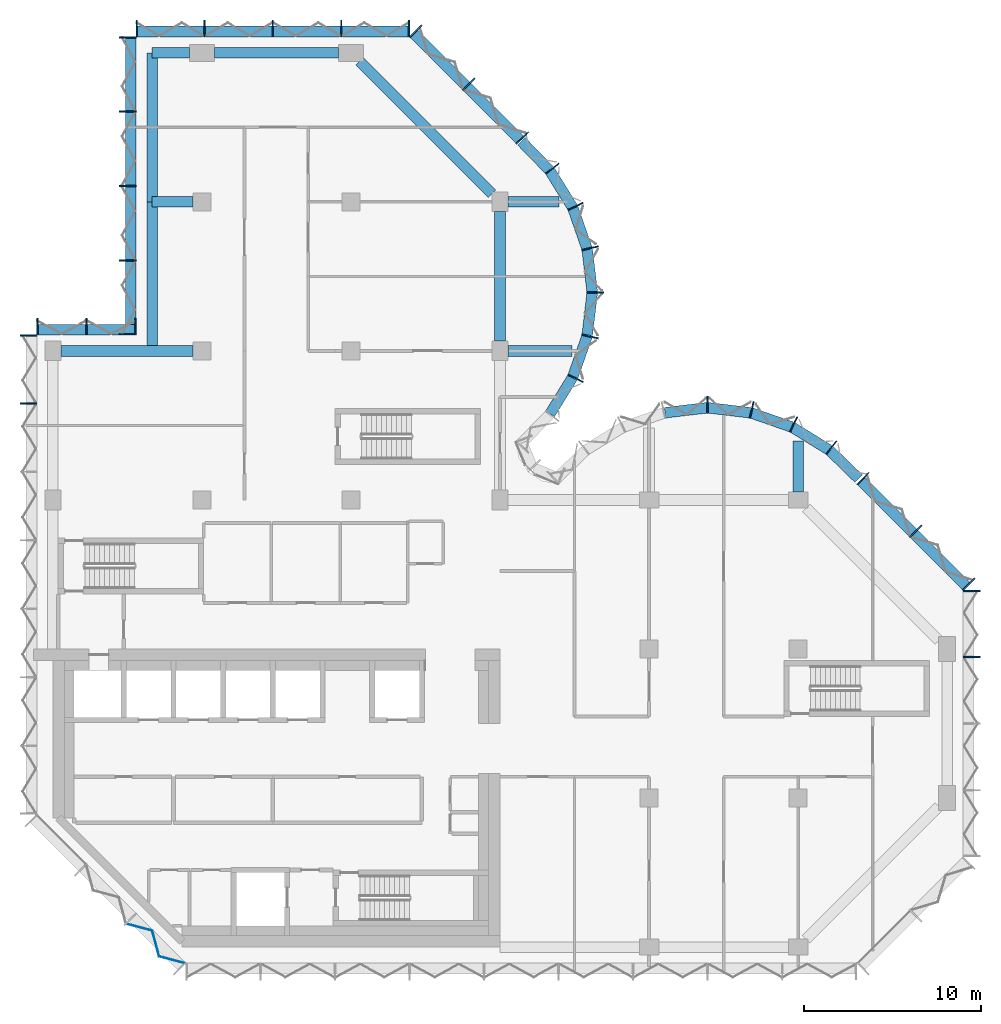
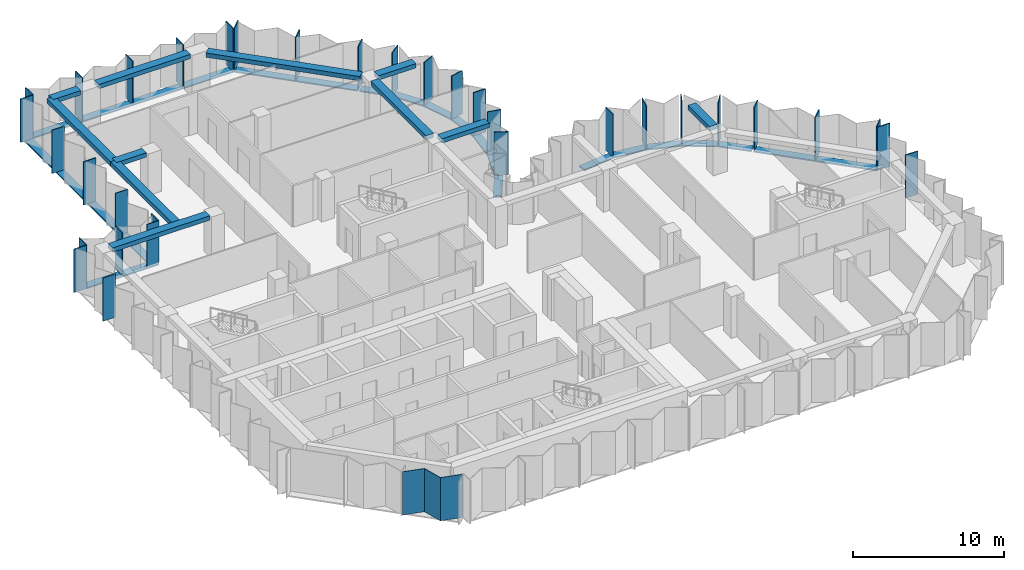
# One storey, part 2 of 10: 50 members, 11 beams, 1 plate, 10 elements without a shape of their own.
"""IFC4 building model written with IfcOpenShell, lengths in metres."""

import ifcopenshell
import ifcopenshell.guid

model = None  # the IFC model being written
_history = None  # IfcOwnerHistory: only IFC2X3 demands one
_inside = {}  # id of a spatial element -> (the spatial element, [elements in it])
_under = {}  # id of a project, library or spatial element -> (it, [spatial elements below it])
_declared = {}  # id of a project -> (the project, [libraries it declares])
_typed = {}  # id of a type object -> (the type object, [elements of that type])
_made_of = {}  # id of a material, layer set ... -> (it, [elements and type objects made of it])


def new_model(schema):
    """Start an empty IFC model of exactly this schema.

    Asked for "IFC4X3", IfcOpenShell would pick the latest addendum, in which some entities
    have other attributes; the version numbers below select the first issue.
    IFC2X3 requires an IfcOwnerHistory on every rooted entity: one is made here for all.
    """
    global model, _history
    if schema == "IFC4X3":
        model = ifcopenshell.file(schema_version=(4, 3, 0, 0))
    else:
        model = ifcopenshell.file(schema=schema)
    _inside.clear()
    _under.clear()
    _declared.clear()
    _typed.clear()
    _made_of.clear()
    _history = None
    if model.schema == "IFC2X3":
        org = make("IfcOrganization", Name="unknown")
        user = make(
            "IfcPersonAndOrganization",
            ThePerson=make("IfcPerson", FamilyName="unknown"),
            TheOrganization=org,
        )
        app = make(
            "IfcApplication",
            ApplicationDeveloper=org,
            Version="unknown",
            ApplicationFullName="unknown",
            ApplicationIdentifier="unknown",
        )
        _history = make(
            "IfcOwnerHistory",
            OwningUser=user,
            OwningApplication=app,
            ChangeAction="ADDED",
            CreationDate=0,
        )
    return model


def make(cls, **values):
    """One entity of the class cls with the attributes given. An attribute that is None is left unset."""
    return model.create_entity(
        cls, **{name: value for name, value in values.items() if value is not None}
    )


def rooted(cls, **values):
    """An entity with a GlobalId (a new one), such as an element, a storey or a relation."""
    return make(cls, GlobalId=ifcopenshell.guid.new(), OwnerHistory=_history, **values)


def si_unit(unit_type, name, prefix=None):
    """IfcSIUnit, for example si_unit("LENGTHUNIT", "METRE", prefix="MILLI")."""
    return make("IfcSIUnit", UnitType=unit_type, Prefix=prefix, Name=name)


def assignment(units):
    """IfcUnitAssignment: the units of a project."""
    return None if units is None else make("IfcUnitAssignment", Units=units)


def point(xyz):
    """IfcCartesianPoint."""
    return None if xyz is None else make("IfcCartesianPoint", Coordinates=xyz)


def direction(xyz):
    """IfcDirection."""
    return None if xyz is None else make("IfcDirection", DirectionRatios=xyz)


def frame(location, z_axis=None, x_axis=None):
    """IfcAxis2Placement3D, a coordinate frame: its origin and axes. An axis left out is left unset."""
    return make(
        "IfcAxis2Placement3D",
        Location=point(location),
        Axis=direction(z_axis),
        RefDirection=direction(x_axis),
    )


def frame_2d(location, x_axis=None):
    """IfcAxis2Placement2D, a coordinate frame in the plane: its origin and x axis."""
    return make(
        "IfcAxis2Placement2D", Location=point(location), RefDirection=direction(x_axis)
    )


def origin():
    """The frame at (0, 0, 0) with its axes left unset."""
    return frame((0.0, 0.0, 0.0))


def origin_2d():
    """The frame at (0, 0) in the plane with its x axis left unset."""
    return frame_2d((0.0, 0.0))


def place(relative_to, where):
    """IfcLocalPlacement: puts the frame where relative to a parent placement (None: the world)."""
    return make(
        "IfcLocalPlacement", PlacementRelTo=relative_to, RelativePlacement=where
    )


def context(
    kind, dimensions, precision=None, world=None, true_north=None, identifier=None
):
    """IfcGeometricRepresentationContext, for example the 3D "Model" context."""
    return make(
        "IfcGeometricRepresentationContext",
        ContextIdentifier=identifier,
        ContextType=kind,
        CoordinateSpaceDimension=dimensions,
        Precision=precision,
        WorldCoordinateSystem=world,
        TrueNorth=true_north,
    )


def subcontext(parent, identifier, kind, view, scale=None):
    """IfcGeometricRepresentationSubContext, for example "Body" below "Model"."""
    return make(
        "IfcGeometricRepresentationSubContext",
        ContextIdentifier=identifier,
        ContextType=kind,
        ParentContext=parent,
        TargetScale=scale,
        TargetView=view,
    )


def project(units=None, contexts=None):
    """IfcProject with its units and contexts."""
    return rooted(
        "IfcProject",
        Name="project",
        RepresentationContexts=contexts,
        UnitsInContext=assignment(units),
    )


def spatial(cls, under=None, at=None, **own):
    """A site, building, storey or space (cls), placed at a placement, below another one or the project."""
    s = rooted(cls, ObjectPlacement=at, **own)
    if under is not None:
        _under.setdefault(under.id(), (under, []))[1].append(s)
    return s


def polyline(points):
    """IfcPolyline through the points."""
    return make("IfcPolyline", Points=[point(p) for p in points])


def profile(cls, at=None, kind="AREA", **sizes):
    """A parametric profile (cls). Its sizes go by their IFC names, for example OverallWidth=200.0."""
    return make(cls, ProfileType=kind, Position=at, **sizes)


def rectangle(**sizes):
    """IfcRectangleProfileDef."""
    return profile("IfcRectangleProfileDef", **sizes)


def outline(outer, holes=None, kind="AREA"):
    """IfcArbitraryClosedProfileDef: a profile drawn as a closed curve; with holes, ...WithVoids."""
    if holes is None:
        return make("IfcArbitraryClosedProfileDef", ProfileType=kind, OuterCurve=outer)
    return make(
        "IfcArbitraryProfileDefWithVoids",
        ProfileType=kind,
        OuterCurve=outer,
        InnerCurves=holes,
    )


def extrude(swept, where, along, depth):
    """IfcExtrudedAreaSolid: the profile swept, set in the frame where, extruded along a direction by depth."""
    return make(
        "IfcExtrudedAreaSolid",
        SweptArea=swept,
        Position=where,
        ExtrudedDirection=direction(along),
        Depth=depth,
    )


def shape(context_of_items, identifier, shape_type, items):
    """IfcShapeRepresentation: the items that make up one representation, for example the "Body"."""
    return make(
        "IfcShapeRepresentation",
        ContextOfItems=context_of_items,
        RepresentationIdentifier=identifier,
        RepresentationType=shape_type,
        Items=items,
    )


def material(Name=None, Category=None):
    """IfcMaterial."""
    return make("IfcMaterial", Name=Name, Category=Category)


def layer(
    of_material, thickness, ventilated=None, Name=None, Category=None, Priority=None
):
    """IfcMaterialLayer: one layer of a wall or slab, of a material (None: an air gap)."""
    return make(
        "IfcMaterialLayer",
        Material=of_material,
        LayerThickness=thickness,
        IsVentilated=ventilated,
        Name=Name,
        Category=Category,
        Priority=Priority,
    )


def layer_set(layers, Name=None):
    """IfcMaterialLayerSet."""
    return make("IfcMaterialLayerSet", MaterialLayers=layers, LayerSetName=Name)


def material_profile(
    of_material, cross_section, Name=None, Category=None, Priority=None
):
    """IfcMaterialProfile: a cross section and its material."""
    return make(
        "IfcMaterialProfile",
        Name=Name,
        Material=of_material,
        Profile=cross_section,
        Priority=Priority,
        Category=Category,
    )


def profile_set(profiles, Name=None, composite=None):
    """IfcMaterialProfileSet."""
    return make(
        "IfcMaterialProfileSet",
        Name=Name,
        MaterialProfiles=profiles,
        CompositeProfile=composite,
    )


def made_of(thing, what):
    """Note that an element or type object is made of a material, layer set ...; save() writes the relation."""
    if what is not None:
        _made_of.setdefault(what.id(), (what, []))[1].append(thing)
    return thing


def type_object(cls, material=None, **own):
    """A type object (cls), such as IfcWallType, which elements share."""
    return made_of(rooted(cls, **own), material)


def element(
    cls,
    number,
    at=None,
    inside=None,
    cuts=None,
    type_object=None,
    material=None,
    context=None,
    identifier="Body",
    shape_type=None,
    held_by="IfcProductDefinitionShape",
    body=None,
    shapes=None,
    **own,
):
    """One element of the class cls, such as IfcWall. Its Tag is "e" and its number.

    at: its placement. inside: the storey or other place that contains it. cuts: it is an
    opening in that element (IfcRelVoidsElement). A single representation is given by context,
    identifier, shape_type and body (its items); several are given by shapes. held_by: the class
    of the entity that holds the representations. save() writes the other relations.
    """
    e = rooted(cls, Tag="e%d" % number, ObjectPlacement=at, **own)
    if body is not None:
        shapes = [shape(context, identifier, shape_type, body)]
    if shapes is not None:
        e.Representation = make(held_by, Representations=shapes)
    if inside is not None:
        _inside.setdefault(inside.id(), (inside, []))[1].append(e)
    if cuts is not None:
        rooted(
            "IfcRelVoidsElement", RelatingBuildingElement=cuts, RelatedOpeningElement=e
        )
    if type_object is not None:
        _typed.setdefault(type_object.id(), (type_object, []))[1].append(e)
    return made_of(e, material)


def aggregate(whole, parts):
    """IfcRelAggregates: a whole, such as a stair, and the parts it consists of."""
    return rooted("IfcRelAggregates", RelatingObject=whole, RelatedObjects=parts)


def save(model, path):
    """Write the relations noted so far, then the file.

    IfcRelAggregates (storeys below a building ...), IfcRelContainedInSpatialStructure (elements
    in a storey), IfcRelDefinesByType, IfcRelAssociatesMaterial and IfcRelDeclares: one each for
    every whole, place, type object, material and project.
    """
    for whole, parts in _under.values():
        aggregate(whole, parts)
    for where, things in _inside.values():
        rooted(
            "IfcRelContainedInSpatialStructure",
            RelatedElements=things,
            RelatingStructure=where,
        )
    for kind, things in _typed.values():
        rooted("IfcRelDefinesByType", RelatedObjects=things, RelatingType=kind)
    for what, things in _made_of.values():
        rooted("IfcRelAssociatesMaterial", RelatedObjects=things, RelatingMaterial=what)
    for by, libraries in _declared.values():
        rooted("IfcRelDeclares", RelatingContext=by, RelatedDefinitions=libraries)
    model.write(path)


model = new_model("IFC4")

# Units and contexts
model_context = context("Model", 3, precision=1e-05, world=origin(), true_north=direction((0.0, 1.0)))
body_context = subcontext(model_context, "Body", "Model", "MODEL_VIEW")
ifc_project = project(units=[si_unit("LENGTHUNIT", "METRE"), si_unit("AREAUNIT", "SQUARE_METRE"), si_unit("VOLUMEUNIT", "CUBIC_METRE"), si_unit("PLANEANGLEUNIT", "RADIAN"), si_unit("MASSUNIT", "GRAM", prefix="KILO")], contexts=[model_context])

# Site, building, storey
site_placement = place(None, origin())
site = spatial("IfcSite", under=ifc_project, at=site_placement, CompositionType="ELEMENT")
building_placement = place(site_placement, origin())
building = spatial("IfcBuilding", under=site, at=building_placement, Name="Brevane Broadcast Tower", CompositionType="ELEMENT")
storey_placement = place(building_placement, frame((0.0, 0.0, 199.199951171875)))
storey = spatial("IfcBuildingStorey", under=building, at=storey_placement, Name="L50", CompositionType="ELEMENT", Elevation=199.199951171875)

# Curtain wall, members
ifc_material_1 = material(Name="Aluminium 6063-T6 bronze anodised", Category="aluminium")
curtain_wall_type = type_object("IfcCurtainWallType", Name="CW-1 curtain wall", PredefinedType="NOTDEFINED", material=ifc_material_1)
curtain_wall_1_placement = place(storey_placement, origin())
curtain_wall_1 = element("IfcCurtainWall", 1, at=curtain_wall_1_placement, inside=storey, type_object=curtain_wall_type, Name="CW-1 typical tilted unit L50 east end", PredefinedType="NOTDEFINED")
ifc_material_profile_1 = material_profile(ifc_material_1, rectangle(XDim=0.949951171875, YDim=0.070068359375, at=origin_2d()), Name="RECT 70x950")
ifc_profile_set_1 = profile_set([ifc_material_profile_1], Name="Aluminium 6063-T6 bronze anodised")
member_type_1 = type_object("IfcMemberType", Name="CW-1 mullion 70x950", PredefinedType="MULLION", material=ifc_profile_set_1)
member_1_placement = place(storey_placement, frame((51.77490234375, 16.35009765625, -0.14990234375), z_axis=(0.0, 0.0, 1.0), x_axis=(-1.0, 0.0, 0.0)))
member_1 = element("IfcMember", 2, at=member_1_placement, type_object=member_type_1, Name="CW-1 mullion", PredefinedType="MULLION", context=body_context, shape_type="SweptSolid", body=[
    extrude(rectangle(XDim=0.949951171875, YDim=0.070068359375, at=origin_2d()), origin(), (0.0, 0.0, 1.0), 3.5),
])
member_2_placement = place(storey_placement, frame((51.77490234375, 20.06494140625, -0.14990234375), z_axis=(0.0, 0.0, 1.0), x_axis=(-1.0, 0.0, 0.0)))
member_2 = element("IfcMember", 3, at=member_2_placement, type_object=member_type_1, Name="CW-1 mullion", PredefinedType="MULLION", context=body_context, shape_type="SweptSolid", body=[
    extrude(rectangle(XDim=0.949951171875, YDim=0.070068359375, at=origin_2d()), origin(), (0.0, 0.0, 1.0), 3.5),
])
aggregate(curtain_wall_1, [member_1, member_2])

curtain_wall_2_placement = place(storey_placement, origin())
curtain_wall_2 = element("IfcCurtainWall", 4, at=curtain_wall_2_placement, inside=storey, type_object=curtain_wall_type, Name="CW-1 typical tilted unit L50 north-east chamfer", PredefinedType="NOTDEFINED")
member_3_placement = place(storey_placement, frame((51.611083984375, 20.460693359375, -0.14990234375), z_axis=(0.0, 0.0, 1.0), x_axis=(-0.707106781187, -0.707106781187, 0.0)))
member_3 = element("IfcMember", 5, at=member_3_placement, type_object=member_type_1, Name="CW-1 mullion", PredefinedType="MULLION", context=body_context, shape_type="SweptSolid", body=[
    extrude(rectangle(XDim=0.949951171875, YDim=0.070068359375, at=origin_2d()), origin(), (0.0, 0.0, 1.0), 3.5),
])
member_4_placement = place(storey_placement, frame((48.635986328125, 23.435791015625, -0.14990234375), z_axis=(0.0, 0.0, 1.0), x_axis=(-0.707106781187, -0.707106781187, 0.0)))
member_4 = element("IfcMember", 6, at=member_4_placement, type_object=member_type_1, Name="CW-1 mullion", PredefinedType="MULLION", context=body_context, shape_type="SweptSolid", body=[
    extrude(rectangle(XDim=0.949951171875, YDim=0.070068359375, at=origin_2d()), origin(), (0.0, 0.0, 1.0), 3.5),
])
member_5_placement = place(storey_placement, frame((45.66064453125, 26.4111328125, -0.14990234375), z_axis=(0.0, 0.0, 1.0), x_axis=(-0.707106781187, -0.707106781187, 0.0)))
member_5 = element("IfcMember", 7, at=member_5_placement, type_object=member_type_1, Name="CW-1 mullion", PredefinedType="MULLION", context=body_context, shape_type="SweptSolid", body=[
    extrude(rectangle(XDim=0.949951171875, YDim=0.070068359375, at=origin_2d()), origin(), (0.0, 0.0, 1.0), 3.5),
])

curtain_wall_3_placement = place(storey_placement, origin())
curtain_wall_3 = element("IfcCurtainWall", 8, at=curtain_wall_3_placement, inside=storey, type_object=curtain_wall_type, Name="CW-1 typical tilted unit L50 east bow", PredefinedType="NOTDEFINED")
member_6_placement = place(storey_placement, frame((43.8720703125, 28.1455078125, -0.14990234375), z_axis=(0.0, 0.0, 1.0), x_axis=(-0.614769698862, -0.788706673841, 0.0)))
member_6 = element("IfcMember", 9, at=member_6_placement, type_object=member_type_1, Name="CW-1 mullion", PredefinedType="MULLION", context=body_context, shape_type="SweptSolid", body=[
    extrude(rectangle(XDim=0.949951171875, YDim=0.070068359375, at=origin_2d()), origin(), (0.0, 0.0, 1.0), 3.5),
])
member_7_placement = place(storey_placement, frame((41.746826171875, 29.4580078125, -0.14990234375), z_axis=(0.0, 0.0, 1.0), x_axis=(-0.429933580394, -0.902860518823, 0.0)))
member_7 = element("IfcMember", 10, at=member_7_placement, type_object=member_type_1, Name="CW-1 mullion", PredefinedType="MULLION", context=body_context, shape_type="SweptSolid", body=[
    extrude(rectangle(XDim=0.949951171875, YDim=0.070068359375, at=origin_2d()), origin(), (0.0, 0.0, 1.0), 3.5),
])
member_8_placement = place(storey_placement, frame((39.38818359375, 30.28076171875, -0.14990234375), z_axis=(0.0, 0.0, 1.0), x_axis=(-0.224806535479, -0.974403418306, 0.0)))
member_8 = element("IfcMember", 11, at=member_8_placement, type_object=member_type_1, Name="CW-1 mullion", PredefinedType="MULLION", context=body_context, shape_type="SweptSolid", body=[
    extrude(rectangle(XDim=0.949951171875, YDim=0.070068359375, at=origin_2d()), origin(), (0.0, 0.0, 1.0), 3.5),
])
member_9_placement = place(storey_placement, frame((36.89990234375, 30.574951171875, -0.14990234375), z_axis=(0.0, 0.0, 1.0), x_axis=(0.0, -1.0, 0.0)))
member_9 = element("IfcMember", 12, at=member_9_placement, type_object=member_type_1, Name="CW-1 mullion", PredefinedType="MULLION", context=body_context, shape_type="SweptSolid", body=[
    extrude(rectangle(XDim=0.949951171875, YDim=0.070068359375, at=origin_2d()), origin(), (0.0, 0.0, 1.0), 3.5),
])

curtain_wall_4_placement = place(storey_placement, origin())
curtain_wall_4 = element("IfcCurtainWall", 13, at=curtain_wall_4_placement, inside=storey, type_object=curtain_wall_type, Name="CW-1 typical tilted unit L50 north bow", PredefinedType="NOTDEFINED")
member_10_placement = place(storey_placement, frame((29.4580078125, 32.05322265625, -0.14990234375), z_axis=(0.0, 0.0, 1.0), x_axis=(-0.902860518823, 0.429933580394, 0.0)))
member_10 = element("IfcMember", 14, at=member_10_placement, type_object=member_type_1, Name="CW-1 mullion", PredefinedType="MULLION", context=body_context, shape_type="SweptSolid", body=[
    extrude(rectangle(XDim=0.949951171875, YDim=0.070068359375, at=origin_2d()), origin(), (0.0, 0.0, 1.0), 3.5),
])
member_11_placement = place(storey_placement, frame((30.28076171875, 34.411865234375, -0.14990234375), z_axis=(0.0, 0.0, 1.0), x_axis=(-0.974403418306, 0.224806535479, 0.0)))
member_11 = element("IfcMember", 15, at=member_11_placement, type_object=member_type_1, Name="CW-1 mullion", PredefinedType="MULLION", context=body_context, shape_type="SweptSolid", body=[
    extrude(rectangle(XDim=0.949951171875, YDim=0.070068359375, at=origin_2d()), origin(), (0.0, 0.0, 1.0), 3.5),
])
member_12_placement = place(storey_placement, frame((30.574951171875, 36.89990234375, -0.14990234375), z_axis=(0.0, 0.0, 1.0), x_axis=(-1.0, 0.0, 0.0)))
member_12 = element("IfcMember", 16, at=member_12_placement, type_object=member_type_1, Name="CW-1 mullion", PredefinedType="MULLION", context=body_context, shape_type="SweptSolid", body=[
    extrude(rectangle(XDim=0.949951171875, YDim=0.070068359375, at=origin_2d()), origin(), (0.0, 0.0, 1.0), 3.5),
])
member_13_placement = place(storey_placement, frame((30.28076171875, 39.38818359375, -0.14990234375), z_axis=(0.0, 0.0, 1.0), x_axis=(-0.974403418306, -0.224806535479, 0.0)))
member_13 = element("IfcMember", 17, at=member_13_placement, type_object=member_type_1, Name="CW-1 mullion", PredefinedType="MULLION", context=body_context, shape_type="SweptSolid", body=[
    extrude(rectangle(XDim=0.949951171875, YDim=0.070068359375, at=origin_2d()), origin(), (0.0, 0.0, 1.0), 3.5),
])
member_14_placement = place(storey_placement, frame((29.4580078125, 41.746826171875, -0.14990234375), z_axis=(0.0, 0.0, 1.0), x_axis=(-0.902860518823, -0.429933580394, 0.0)))
member_14 = element("IfcMember", 18, at=member_14_placement, type_object=member_type_1, Name="CW-1 mullion", PredefinedType="MULLION", context=body_context, shape_type="SweptSolid", body=[
    extrude(rectangle(XDim=0.949951171875, YDim=0.070068359375, at=origin_2d()), origin(), (0.0, 0.0, 1.0), 3.5),
])
member_15_placement = place(storey_placement, frame((28.1455078125, 43.8720703125, -0.14990234375), z_axis=(0.0, 0.0, 1.0), x_axis=(-0.788706673841, -0.614769698862, 0.0)))
member_15 = element("IfcMember", 19, at=member_15_placement, type_object=member_type_1, Name="CW-1 mullion", PredefinedType="MULLION", context=body_context, shape_type="SweptSolid", body=[
    extrude(rectangle(XDim=0.949951171875, YDim=0.070068359375, at=origin_2d()), origin(), (0.0, 0.0, 1.0), 3.5),
])
member_16_placement = place(storey_placement, frame((26.465087890625, 45.60595703125, -0.14990234375), z_axis=(0.0, 0.0, 1.0), x_axis=(-0.717253728729, -0.696812089895, 0.0)))
member_16 = element("IfcMember", 20, at=member_16_placement, type_object=member_type_1, Name="CW-1 mullion", PredefinedType="MULLION", context=body_context, shape_type="SweptSolid", body=[
    extrude(rectangle(XDim=0.949951171875, YDim=0.070068359375, at=origin_2d()), origin(), (0.0, 0.0, 1.0), 3.5),
])

curtain_wall_5_placement = place(storey_placement, origin())
curtain_wall_5 = element("IfcCurtainWall", 21, at=curtain_wall_5_placement, inside=storey, type_object=curtain_wall_type, Name="CW-1 typical tilted unit L50 north arm north-east chamfer", PredefinedType="NOTDEFINED")
member_17_placement = place(storey_placement, frame((23.435791015625, 48.635986328125, -0.14990234375), z_axis=(0.0, 0.0, 1.0), x_axis=(-0.707106781187, -0.707106781187, 0.0)))
member_17 = element("IfcMember", 22, at=member_17_placement, type_object=member_type_1, Name="CW-1 mullion", PredefinedType="MULLION", context=body_context, shape_type="SweptSolid", body=[
    extrude(rectangle(XDim=0.949951171875, YDim=0.070068359375, at=origin_2d()), origin(), (0.0, 0.0, 1.0), 3.5),
])
member_18_placement = place(storey_placement, frame((20.460693359375, 51.611083984375, -0.14990234375), z_axis=(0.0, 0.0, 1.0), x_axis=(-0.707106781187, -0.707106781187, 0.0)))
member_18 = element("IfcMember", 23, at=member_18_placement, type_object=member_type_1, Name="CW-1 mullion", PredefinedType="MULLION", context=body_context, shape_type="SweptSolid", body=[
    extrude(rectangle(XDim=0.949951171875, YDim=0.070068359375, at=origin_2d()), origin(), (0.0, 0.0, 1.0), 3.5),
])

curtain_wall_6_placement = place(storey_placement, origin())
curtain_wall_6 = element("IfcCurtainWall", 24, at=curtain_wall_6_placement, inside=storey, type_object=curtain_wall_type, Name="CW-1 typical tilted unit L50 north end", PredefinedType="NOTDEFINED")
member_19_placement = place(storey_placement, frame((20.06494140625, 51.77490234375, -0.14990234375), z_axis=(0.0, 0.0, 1.0), x_axis=(0.0, -1.0, 0.0)))
member_19 = element("IfcMember", 25, at=member_19_placement, type_object=member_type_1, Name="CW-1 mullion", PredefinedType="MULLION", context=body_context, shape_type="SweptSolid", body=[
    extrude(rectangle(XDim=0.949951171875, YDim=0.070068359375, at=origin_2d()), origin(), (0.0, 0.0, 1.0), 3.5),
])
member_20_placement = place(storey_placement, frame((16.25, 51.77490234375, -0.14990234375), z_axis=(0.0, 0.0, 1.0), x_axis=(0.0, -1.0, 0.0)))
member_20 = element("IfcMember", 26, at=member_20_placement, type_object=member_type_1, Name="CW-1 mullion", PredefinedType="MULLION", context=body_context, shape_type="SweptSolid", body=[
    extrude(rectangle(XDim=0.949951171875, YDim=0.070068359375, at=origin_2d()), origin(), (0.0, 0.0, 1.0), 3.5),
])
member_21_placement = place(storey_placement, frame((12.39990234375, 51.77490234375, -0.14990234375), z_axis=(0.0, 0.0, 1.0), x_axis=(0.0, -1.0, 0.0)))
member_21 = element("IfcMember", 27, at=member_21_placement, type_object=member_type_1, Name="CW-1 mullion", PredefinedType="MULLION", context=body_context, shape_type="SweptSolid", body=[
    extrude(rectangle(XDim=0.949951171875, YDim=0.070068359375, at=origin_2d()), origin(), (0.0, 0.0, 1.0), 3.5),
])
member_22_placement = place(storey_placement, frame((8.550048828125, 51.77490234375, -0.14990234375), z_axis=(0.0, 0.0, 1.0), x_axis=(0.0, -1.0, 0.0)))
member_22 = element("IfcMember", 28, at=member_22_placement, type_object=member_type_1, Name="CW-1 mullion", PredefinedType="MULLION", context=body_context, shape_type="SweptSolid", body=[
    extrude(rectangle(XDim=0.949951171875, YDim=0.070068359375, at=origin_2d()), origin(), (0.0, 0.0, 1.0), 3.5),
])
member_23_placement = place(storey_placement, frame((4.735107421875, 51.77490234375, -0.14990234375), z_axis=(0.0, 0.0, 1.0), x_axis=(0.0, -1.0, 0.0)))
member_23 = element("IfcMember", 29, at=member_23_placement, type_object=member_type_1, Name="CW-1 mullion", PredefinedType="MULLION", context=body_context, shape_type="SweptSolid", body=[
    extrude(rectangle(XDim=0.949951171875, YDim=0.070068359375, at=origin_2d()), origin(), (0.0, 0.0, 1.0), 3.5),
])

curtain_wall_7_placement = place(storey_placement, origin())
curtain_wall_7 = element("IfcCurtainWall", 30, at=curtain_wall_7_placement, inside=storey, type_object=curtain_wall_type, Name="CW-1 typical tilted unit L50 north wing west face, lower block", PredefinedType="NOTDEFINED")
member_24_placement = place(storey_placement, frame((4.22509765625, 51.264892578125, -0.14990234375), z_axis=(0.0, 0.0, 1.0), x_axis=(1.0, 0.0, 0.0)))
member_24 = element("IfcMember", 31, at=member_24_placement, type_object=member_type_1, Name="CW-1 mullion", PredefinedType="MULLION", context=body_context, shape_type="SweptSolid", body=[
    extrude(rectangle(XDim=0.949951171875, YDim=0.070068359375, at=origin_2d()), origin(), (0.0, 0.0, 1.0), 3.5),
])
member_25_placement = place(storey_placement, frame((4.22509765625, 47.10009765625, -0.14990234375), z_axis=(0.0, 0.0, 1.0), x_axis=(1.0, 0.0, 0.0)))
member_25 = element("IfcMember", 32, at=member_25_placement, type_object=member_type_1, Name="CW-1 mullion", PredefinedType="MULLION", context=body_context, shape_type="SweptSolid", body=[
    extrude(rectangle(XDim=0.949951171875, YDim=0.070068359375, at=origin_2d()), origin(), (0.0, 0.0, 1.0), 3.5),
])
member_26_placement = place(storey_placement, frame((4.22509765625, 42.89990234375, -0.14990234375), z_axis=(0.0, 0.0, 1.0), x_axis=(1.0, 0.0, 0.0)))
member_26 = element("IfcMember", 33, at=member_26_placement, type_object=member_type_1, Name="CW-1 mullion", PredefinedType="MULLION", context=body_context, shape_type="SweptSolid", body=[
    extrude(rectangle(XDim=0.949951171875, YDim=0.070068359375, at=origin_2d()), origin(), (0.0, 0.0, 1.0), 3.5),
])
member_27_placement = place(storey_placement, frame((4.22509765625, 38.699951171875, -0.14990234375), z_axis=(0.0, 0.0, 1.0), x_axis=(1.0, 0.0, 0.0)))
member_27 = element("IfcMember", 34, at=member_27_placement, type_object=member_type_1, Name="CW-1 mullion", PredefinedType="MULLION", context=body_context, shape_type="SweptSolid", body=[
    extrude(rectangle(XDim=0.949951171875, YDim=0.070068359375, at=origin_2d()), origin(), (0.0, 0.0, 1.0), 3.5),
])
member_28_placement = place(storey_placement, frame((4.22509765625, 34.534912109375, -0.14990234375), z_axis=(0.0, 0.0, 1.0), x_axis=(1.0, 0.0, 0.0)))
member_28 = element("IfcMember", 35, at=member_28_placement, type_object=member_type_1, Name="CW-1 mullion", PredefinedType="MULLION", context=body_context, shape_type="SweptSolid", body=[
    extrude(rectangle(XDim=0.949951171875, YDim=0.070068359375, at=origin_2d()), origin(), (0.0, 0.0, 1.0), 3.5),
])

curtain_wall_8_placement = place(storey_placement, origin())
curtain_wall_8 = element("IfcCurtainWall", 36, at=curtain_wall_8_placement, inside=storey, type_object=curtain_wall_type, Name="CW-1 typical tilted unit L50 north wing west return, lower block", PredefinedType="NOTDEFINED")
member_29_placement = place(storey_placement, frame((4.6650390625, 34.97509765625, -0.14990234375), z_axis=(0.0, 0.0, 1.0), x_axis=(0.0, -1.0, 0.0)))
member_29 = element("IfcMember", 37, at=member_29_placement, type_object=member_type_1, Name="CW-1 mullion", PredefinedType="MULLION", context=body_context, shape_type="SweptSolid", body=[
    extrude(rectangle(XDim=0.949951171875, YDim=0.070068359375, at=origin_2d()), origin(), (0.0, 0.0, 1.0), 3.5),
])
member_30_placement = place(storey_placement, frame((1.89990234375, 34.97509765625, -0.14990234375), z_axis=(0.0, 0.0, 1.0), x_axis=(0.0, -1.0, 0.0)))
member_30 = element("IfcMember", 38, at=member_30_placement, type_object=member_type_1, Name="CW-1 mullion", PredefinedType="MULLION", context=body_context, shape_type="SweptSolid", body=[
    extrude(rectangle(XDim=0.949951171875, YDim=0.070068359375, at=origin_2d()), origin(), (0.0, 0.0, 1.0), 3.5),
])
member_31_placement = place(storey_placement, frame((-0.864990234375, 34.97509765625, -0.14990234375), z_axis=(0.0, 0.0, 1.0), x_axis=(0.0, -1.0, 0.0)))
member_31 = element("IfcMember", 39, at=member_31_placement, type_object=member_type_1, Name="CW-1 mullion", PredefinedType="MULLION", context=body_context, shape_type="SweptSolid", body=[
    extrude(rectangle(XDim=0.949951171875, YDim=0.070068359375, at=origin_2d()), origin(), (0.0, 0.0, 1.0), 3.5),
])

curtain_wall_9_placement = place(storey_placement, origin())
curtain_wall_9 = element("IfcCurtainWall", 40, at=curtain_wall_9_placement, inside=storey, type_object=curtain_wall_type, Name="CW-1 typical tilted unit L50 west face", PredefinedType="NOTDEFINED")
member_32_placement = place(storey_placement, frame((-1.375, 34.465087890625, -0.14990234375), z_axis=(0.0, 0.0, 1.0), x_axis=(1.0, 0.0, 0.0)))
member_32 = element("IfcMember", 41, at=member_32_placement, type_object=member_type_1, Name="CW-1 mullion", PredefinedType="MULLION", context=body_context, shape_type="SweptSolid", body=[
    extrude(rectangle(XDim=0.949951171875, YDim=0.070068359375, at=origin_2d()), origin(), (0.0, 0.0, 1.0), 3.5),
])
member_33_placement = place(storey_placement, frame((-1.375, 30.642822265625, -0.14990234375), z_axis=(0.0, 0.0, 1.0), x_axis=(1.0, 0.0, 0.0)))
member_33 = element("IfcMember", 42, at=member_33_placement, type_object=member_type_1, Name="CW-1 mullion", PredefinedType="MULLION", context=body_context, shape_type="SweptSolid", body=[
    extrude(rectangle(XDim=0.949951171875, YDim=0.070068359375, at=origin_2d()), origin(), (0.0, 0.0, 1.0), 3.5),
])
aggregate(curtain_wall_9, [member_32, member_33])

# Member
ifc_material_profile_2 = material_profile(ifc_material_1, rectangle(XDim=0.60009765625, YDim=0.10009765625, at=origin_2d()), Name="RECT 100x600")
ifc_profile_set_2 = profile_set([ifc_material_profile_2], Name="Aluminium 6063-T6 bronze anodised")
member_type_2 = type_object("IfcMemberType", Name="CW-1 transom 100x600", PredefinedType="USERDEFINED", material=ifc_profile_set_2)
member_34_placement = place(storey_placement, frame((51.51220703125, 20.31201171875, -0.199951171875), z_axis=(-0.707106781187, 0.707106781187, 0.0), x_axis=(-0.707106781187, -0.707106781187, 0.0)))
member_34 = element("IfcMember", 43, at=member_34_placement, type_object=member_type_2, Name="CW-1 transom", ObjectType="TRANSOM", PredefinedType="USERDEFINED", context=body_context, shape_type="SweptSolid", body=[
    extrude(rectangle(XDim=0.60009765625, YDim=0.10009765625, at=origin_2d()), origin(), (0.0, 0.0, 1.0), 8.4853515625),
])

aggregate(curtain_wall_2, [member_3, member_4, member_5, member_34])

member_35_placement = place(storey_placement, frame((45.412841796875, 26.407958984375, -0.199951171875), z_axis=(-0.71724215871, 0.696823999134, 0.0), x_axis=(-0.696823999134, -0.71724215871, 0.0)))
member_35 = element("IfcMember", 44, at=member_35_placement, type_object=member_type_2, Name="CW-1 transom", ObjectType="TRANSOM", PredefinedType="USERDEFINED", context=body_context, shape_type="SweptSolid", body=[
    extrude(rectangle(XDim=0.60009765625, YDim=0.10009765625, at=origin_2d()), origin(), (0.0, 0.0, 1.0), 2.247802734375),
])

member_36_placement = place(storey_placement, frame((43.7421875, 28.023193359375, -0.199951171875), z_axis=(-0.850810063131, 0.525473345162, 0.0), x_axis=(-0.525473345162, -0.850810063131, 0.0)))
member_36 = element("IfcMember", 45, at=member_36_placement, type_object=member_type_2, Name="CW-1 transom", ObjectType="TRANSOM", PredefinedType="USERDEFINED", context=body_context, shape_type="SweptSolid", body=[
    extrude(rectangle(XDim=0.60009765625, YDim=0.10009765625, at=origin_2d()), origin(), (0.0, 0.0, 1.0), 2.39453125),
])

member_37_placement = place(storey_placement, frame((41.63623046875, 29.314208984375, -0.199951171875), z_axis=(-0.944197969542, 0.329378497041, 0.0), x_axis=(-0.329378497041, -0.944197969542, 0.0)))
member_37 = element("IfcMember", 46, at=member_37_placement, type_object=member_type_2, Name="CW-1 transom", ObjectType="TRANSOM", PredefinedType="USERDEFINED", context=body_context, shape_type="SweptSolid", body=[
    extrude(rectangle(XDim=0.60009765625, YDim=0.10009765625, at=origin_2d()), origin(), (0.0, 0.0, 1.0), 2.394775390625),
])

member_38_placement = place(storey_placement, frame((39.30029296875, 30.117431640625, -0.199951171875), z_axis=(-0.993062061831, 0.117591417, 0.0), x_axis=(-0.117591417, -0.993062061831, 0.0)))
member_38 = element("IfcMember", 47, at=member_38_placement, type_object=member_type_2, Name="CW-1 transom", ObjectType="TRANSOM", PredefinedType="USERDEFINED", context=body_context, shape_type="SweptSolid", body=[
    extrude(rectangle(XDim=0.60009765625, YDim=0.10009765625, at=origin_2d()), origin(), (0.0, 0.0, 1.0), 2.39794921875),
])

member_39_placement = place(storey_placement, frame((36.880859375, 30.3994140625, -0.199951171875), z_axis=(-0.993060653805, -0.117603307202, 0.0), x_axis=(0.117603307202, -0.993060653805, 0.0)))
member_39 = element("IfcMember", 48, at=member_39_placement, type_object=member_type_2, Name="CW-1 transom", ObjectType="TRANSOM", PredefinedType="USERDEFINED", context=body_context, shape_type="SweptSolid", body=[
    extrude(rectangle(XDim=0.60009765625, YDim=0.10009765625, at=origin_2d()), origin(), (0.0, 0.0, 1.0), 2.397705078125),
])

aggregate(curtain_wall_3, [member_6, member_7, member_8, member_9, member_35, member_36, member_37, member_38, member_39])

member_40_placement = place(storey_placement, frame((28.023193359375, 30.0576171875, -0.199951171875), z_axis=(0.525427766759, 0.850838211365, 0.0), x_axis=(-0.850838211365, 0.525427766759, 0.0)))
member_40 = element("IfcMember", 49, at=member_40_placement, type_object=member_type_2, Name="CW-1 transom", ObjectType="TRANSOM", PredefinedType="USERDEFINED", context=body_context, shape_type="SweptSolid", body=[
    extrude(rectangle(XDim=0.60009765625, YDim=0.10009765625, at=origin_2d()), origin(), (0.0, 0.0, 1.0), 2.394775390625),
])

member_41_placement = place(storey_placement, frame((29.314208984375, 32.163818359375, -0.199951171875), z_axis=(0.329378497041, 0.944197969542, 0.0), x_axis=(-0.944197969542, 0.329378497041, 0.0)))
member_41 = element("IfcMember", 50, at=member_41_placement, type_object=member_type_2, Name="CW-1 transom", ObjectType="TRANSOM", PredefinedType="USERDEFINED", context=body_context, shape_type="SweptSolid", body=[
    extrude(rectangle(XDim=0.60009765625, YDim=0.10009765625, at=origin_2d()), origin(), (0.0, 0.0, 1.0), 2.394775390625),
])

member_42_placement = place(storey_placement, frame((30.117431640625, 34.499755859375, -0.199951171875), z_axis=(0.117603307202, 0.993060653805, 0.0), x_axis=(-0.993060653805, 0.117603307202, 0.0)))
member_42 = element("IfcMember", 51, at=member_42_placement, type_object=member_type_2, Name="CW-1 transom", ObjectType="TRANSOM", PredefinedType="USERDEFINED", context=body_context, shape_type="SweptSolid", body=[
    extrude(rectangle(XDim=0.60009765625, YDim=0.10009765625, at=origin_2d()), origin(), (0.0, 0.0, 1.0), 2.397705078125),
])

member_43_placement = place(storey_placement, frame((30.3994140625, 36.9189453125, -0.199951171875), z_axis=(-0.117591417, 0.993062061831, 0.0), x_axis=(-0.993062061831, -0.117591417, 0.0)))
member_43 = element("IfcMember", 52, at=member_43_placement, type_object=member_type_2, Name="CW-1 transom", ObjectType="TRANSOM", PredefinedType="USERDEFINED", context=body_context, shape_type="SweptSolid", body=[
    extrude(rectangle(XDim=0.60009765625, YDim=0.10009765625, at=origin_2d()), origin(), (0.0, 0.0, 1.0), 2.39794921875),
])

member_44_placement = place(storey_placement, frame((30.10302734375, 39.375, -0.199951171875), z_axis=(-0.329378497041, 0.944197969542, 0.0), x_axis=(-0.944197969542, -0.329378497041, 0.0)))
member_44 = element("IfcMember", 53, at=member_44_placement, type_object=member_type_2, Name="CW-1 transom", ObjectType="TRANSOM", PredefinedType="USERDEFINED", context=body_context, shape_type="SweptSolid", body=[
    extrude(rectangle(XDim=0.60009765625, YDim=0.10009765625, at=origin_2d()), origin(), (0.0, 0.0, 1.0), 2.394775390625),
])

member_45_placement = place(storey_placement, frame((29.281494140625, 41.704833984375, -0.199951171875), z_axis=(-0.525473345162, 0.850810063131, 0.0), x_axis=(-0.850810063131, -0.525473345162, 0.0)))
member_45 = element("IfcMember", 54, at=member_45_placement, type_object=member_type_2, Name="CW-1 transom", ObjectType="TRANSOM", PredefinedType="USERDEFINED", context=body_context, shape_type="SweptSolid", body=[
    extrude(rectangle(XDim=0.60009765625, YDim=0.10009765625, at=origin_2d()), origin(), (0.0, 0.0, 1.0), 2.39453125),
])

member_46_placement = place(storey_placement, frame((27.974365234375, 43.800537109375, -0.199951171875), z_axis=(-0.696823999134, 0.71724215871, 0.0), x_axis=(-0.71724215871, -0.696823999134, 0.0)))
member_46 = element("IfcMember", 55, at=member_46_placement, type_object=member_type_2, Name="CW-1 transom", ObjectType="TRANSOM", PredefinedType="USERDEFINED", context=body_context, shape_type="SweptSolid", body=[
    extrude(rectangle(XDim=0.60009765625, YDim=0.10009765625, at=origin_2d()), origin(), (0.0, 0.0, 1.0), 2.247802734375),
])

aggregate(curtain_wall_4, [member_10, member_11, member_12, member_13, member_14, member_15, member_16, member_40, member_41, member_42, member_43, member_44, member_45, member_46])

member_47_placement = place(storey_placement, frame((26.31201171875, 45.51220703125, -0.199951171875), z_axis=(-0.707106781187, 0.707106781187, 0.0), x_axis=(-0.707106781187, -0.707106781187, 0.0)))
member_47 = element("IfcMember", 56, at=member_47_placement, type_object=member_type_2, Name="CW-1 transom", ObjectType="TRANSOM", PredefinedType="USERDEFINED", context=body_context, shape_type="SweptSolid", body=[
    extrude(rectangle(XDim=0.60009765625, YDim=0.10009765625, at=origin_2d()), origin(), (0.0, 0.0, 1.0), 8.4853515625),
])

aggregate(curtain_wall_5, [member_17, member_18, member_47])

member_48_placement = place(storey_placement, frame((20.10009765625, 51.60009765625, -0.199951171875), z_axis=(-1.0, 0.0, 0.0), x_axis=(0.0, -1.0, 0.0)))
member_48 = element("IfcMember", 57, at=member_48_placement, type_object=member_type_2, Name="CW-1 transom", ObjectType="TRANSOM", PredefinedType="USERDEFINED", context=body_context, shape_type="SweptSolid", body=[
    extrude(rectangle(XDim=0.60009765625, YDim=0.10009765625, at=origin_2d()), origin(), (0.0, 0.0, 1.0), 15.400146484375),
])

aggregate(curtain_wall_6, [member_19, member_20, member_21, member_22, member_23, member_48])

member_49_placement = place(storey_placement, frame((4.39990234375, 51.300048828125, -0.199951171875), z_axis=(0.0, -1.0, 0.0), x_axis=(1.0, 0.0, 0.0)))
member_49 = element("IfcMember", 58, at=member_49_placement, type_object=member_type_2, Name="CW-1 transom", ObjectType="TRANSOM", PredefinedType="USERDEFINED", context=body_context, shape_type="SweptSolid", body=[
    extrude(rectangle(XDim=0.60009765625, YDim=0.10009765625, at=origin_2d()), origin(), (0.0, 0.0, 1.0), 16.800048828125),
])

aggregate(curtain_wall_7, [member_24, member_25, member_26, member_27, member_28, member_49])

member_50_placement = place(storey_placement, frame((4.699951171875, 34.800048828125, -0.199951171875), z_axis=(-1.0, 0.0, 0.0), x_axis=(0.0, -1.0, 0.0)))
member_50 = element("IfcMember", 59, at=member_50_placement, type_object=member_type_2, Name="CW-1 transom", ObjectType="TRANSOM", PredefinedType="USERDEFINED", context=body_context, shape_type="SweptSolid", body=[
    extrude(rectangle(XDim=0.60009765625, YDim=0.10009765625, at=origin_2d()), origin(), (0.0, 0.0, 1.0), 5.599853515625),
])

aggregate(curtain_wall_8, [member_29, member_30, member_31, member_50])

# Beams
ifc_material_2 = material(Name="Concrete C40/50", Category="concrete")
ifc_material_profile_3 = material_profile(ifc_material_2, rectangle(XDim=0.60009765625, YDim=0.35009765625, at=origin_2d()), Name="RC 600x350")
ifc_profile_set_3 = profile_set([ifc_material_profile_3], Name="Concrete C40/50")
beam_type_1 = type_object("IfcBeamType", Name="RC BRACKET BEAM 600x350 C40/50", PredefinedType="BEAM", material=ifc_profile_set_3)
beam_1_placement = place(storey_placement, frame((25.64990234375, 33.60009765625, 3.175048828125), z_axis=(1.0, 0.0, 0.0), x_axis=(0.0, 1.0, 0.0)))
element("IfcBeam", 60, at=beam_1_placement, inside=storey, type_object=beam_type_1, Name="EB2 L50-1", PredefinedType="BEAM", context=body_context, shape_type="SweptSolid", body=[
    extrude(rectangle(XDim=0.60009765625, YDim=0.35009765625, at=origin_2d()), origin(), (0.0, 0.0, 1.0), 3.612060546875),
])
for number, where, z_axis, x_axis, name in (
    (61, (25.64990234375, 42.0, 3.175048828125), (1.0, 0.0, 0.0), (0.0, 1.0, 0.0), "EB2 L50-2"),
    (62, (42.0, 25.64990234375, 3.175048828125), (0.0, 1.0, 0.0), (-1.0, 0.0, 0.0), "EB2 L50-4"),
):
    element("IfcBeam", number, at=place(storey_placement, frame(where, z_axis=z_axis, x_axis=x_axis)), inside=storey, type_object=beam_type_1, Name=name, PredefinedType="BEAM", context=body_context, shape_type="SweptSolid", body=[
        extrude(rectangle(XDim=0.60009765625, YDim=0.35009765625, at=origin_2d()), origin(), (0.0, 0.0, 1.0), 2.861572265625),
    ])
beam_2_placement = place(storey_placement, frame((7.89990234375, 42.0, 3.175048828125), z_axis=(-1.0, 0.0, 0.0), x_axis=(0.0, -1.0, 0.0)))
element("IfcBeam", 63, at=beam_2_placement, inside=storey, type_object=beam_type_1, Name="EB2 L50-5", PredefinedType="BEAM", context=body_context, shape_type="SweptSolid", body=[
    extrude(rectangle(XDim=0.60009765625, YDim=0.35009765625, at=origin_2d()), origin(), (0.0, 0.0, 1.0), 2.2998046875),
])
ifc_material_profile_4 = material_profile(ifc_material_2, rectangle(XDim=0.60009765625, YDim=0.35009765625, at=origin_2d()), Name="RC 600x350")
ifc_profile_set_4 = profile_set([ifc_material_profile_4], Name="Concrete C40/50")
beam_type_2 = type_object("IfcBeamType", Name="RC SPANDREL BEAM 600x350 C40/50", PredefinedType="SPANDREL", material=ifc_profile_set_4)
beam_3_placement = place(storey_placement, frame((25.199951171875, 34.14990234375, 3.175048828125), z_axis=(0.0, 1.0, 0.0), x_axis=(-1.0, 0.0, 0.0)))
element("IfcBeam", 64, at=beam_3_placement, inside=storey, type_object=beam_type_2, Name="EB1 L50-9", PredefinedType="SPANDREL", context=body_context, shape_type="SweptSolid", body=[
    extrude(rectangle(XDim=0.60009765625, YDim=0.35009765625, at=origin_2d()), origin(), (0.0, 0.0, 1.0), 7.300048828125),
])
beam_4_placement = place(storey_placement, frame((24.75, 42.449951171875, 3.175048828125), z_axis=(-0.707106781187, 0.707106781187, 0.0), x_axis=(-0.707106781187, -0.707106781187, 0.0)))
element("IfcBeam", 65, at=beam_4_placement, inside=storey, type_object=beam_type_2, Name="EB1 L50-10", PredefinedType="SPANDREL", context=body_context, shape_type="SweptSolid", body=[
    extrude(rectangle(XDim=0.60009765625, YDim=0.35009765625, at=origin_2d()), origin(), (0.0, 0.0, 1.0), 10.5712890625),
])
beam_5_placement = place(storey_placement, frame((16.10009765625, 50.39990234375, 3.175048828125), z_axis=(-1.0, 0.0, 0.0), x_axis=(0.0, -1.0, 0.0)))
element("IfcBeam", 66, at=beam_5_placement, inside=storey, type_object=beam_type_2, Name="EB1 L50-11", PredefinedType="SPANDREL", context=body_context, shape_type="SweptSolid", body=[
    extrude(rectangle(XDim=0.60009765625, YDim=0.35009765625, at=origin_2d()), origin(), (0.0, 0.0, 1.0), 7.0),
])
beam_6_placement = place(storey_placement, frame((0.449951171875, 33.60009765625, 3.175048828125), z_axis=(1.0, 0.0, 0.0), x_axis=(0.0, 1.0, 0.0)))
element("IfcBeam", 67, at=beam_6_placement, inside=storey, type_object=beam_type_2, Name="EB1 L50-14", PredefinedType="SPANDREL", context=body_context, shape_type="SweptSolid", body=[
    extrude(rectangle(XDim=0.60009765625, YDim=0.35009765625, at=origin_2d()), origin(), (0.0, 0.0, 1.0), 7.449951171875),
])
for number, where, z_axis, x_axis, name in (
    (68, (5.60009765625, 33.60009765625, 3.175048828125), (0.0, 1.0, 0.0), (-1.0, 0.0, 0.0), "EB1 L50-15"),
    (69, (5.60009765625, 42.0, 3.175048828125), (0.0, 1.0, 0.0), (-1.0, 0.0, 0.0), "EB1 L50-16"),
):
    element("IfcBeam", number, at=place(storey_placement, frame(where, z_axis=z_axis, x_axis=x_axis)), inside=storey, type_object=beam_type_2, Name=name, PredefinedType="SPANDREL", context=body_context, shape_type="SweptSolid", body=[
        extrude(rectangle(XDim=0.60009765625, YDim=0.35009765625, at=origin_2d()), origin(), (0.0, 0.0, 1.0), 8.39990234375),
    ])
beam_7_placement = place(storey_placement, frame((5.60009765625, 50.39990234375, 3.175048828125), z_axis=(1.0, 0.0, 0.0), x_axis=(0.0, 1.0, 0.0)))
element("IfcBeam", 70, at=beam_7_placement, inside=storey, type_object=beam_type_2, Name="EB1 L50-17", PredefinedType="SPANDREL", context=body_context, shape_type="SweptSolid", body=[
    extrude(rectangle(XDim=0.60009765625, YDim=0.35009765625, at=origin_2d()), origin(), (0.0, 0.0, 1.0), 2.099853515625),
])

# Curtain wall, plate
curtain_wall_10_placement = place(storey_placement, origin())
curtain_wall_10 = element("IfcCurtainWall", 71, at=curtain_wall_10_placement, inside=storey, type_object=curtain_wall_type, Name="CW-1 typical tilted unit L50 south-west chamfer", PredefinedType="NOTDEFINED")
ifc_material_3 = material(Name="Laminated glass bronze-tinted", Category="glass")
ifc_layer = layer(ifc_material_3, 0.0400390625)
ifc_layer_set = layer_set([ifc_layer], Name="CW tall glass panel 40")
plate_type = type_object("IfcPlateType", Name="CW tall glass panel 40", PredefinedType="CURTAIN_PANEL", material=ifc_layer_set)
plate_placement = place(storey_placement, frame((0.0, 0.0, -0.14990234375)))
plate = element("IfcPlate", 72, at=plate_placement, type_object=plate_type, Name="CW-1 glass panel", PredefinedType="CURTAIN_PANEL", context=body_context, shape_type="SweptSolid", body=[
    extrude(outline(polyline([(4.17919921875, 1.329833984375), (4.146728515625, 1.297119140625), (5.58984375, 0.90673828125), (5.98046875, -0.536376953125), (7.423583984375, -0.927001953125), (7.456298828125, -0.894287109375), (6.012939453125, -0.50390625), (5.62255859375, 0.939453125), (4.17919921875, 1.329833984375)])), origin(), (0.0, 0.0, 1.0), 3.5),
])
aggregate(curtain_wall_10, [plate])

save(model, "model.ifc")
